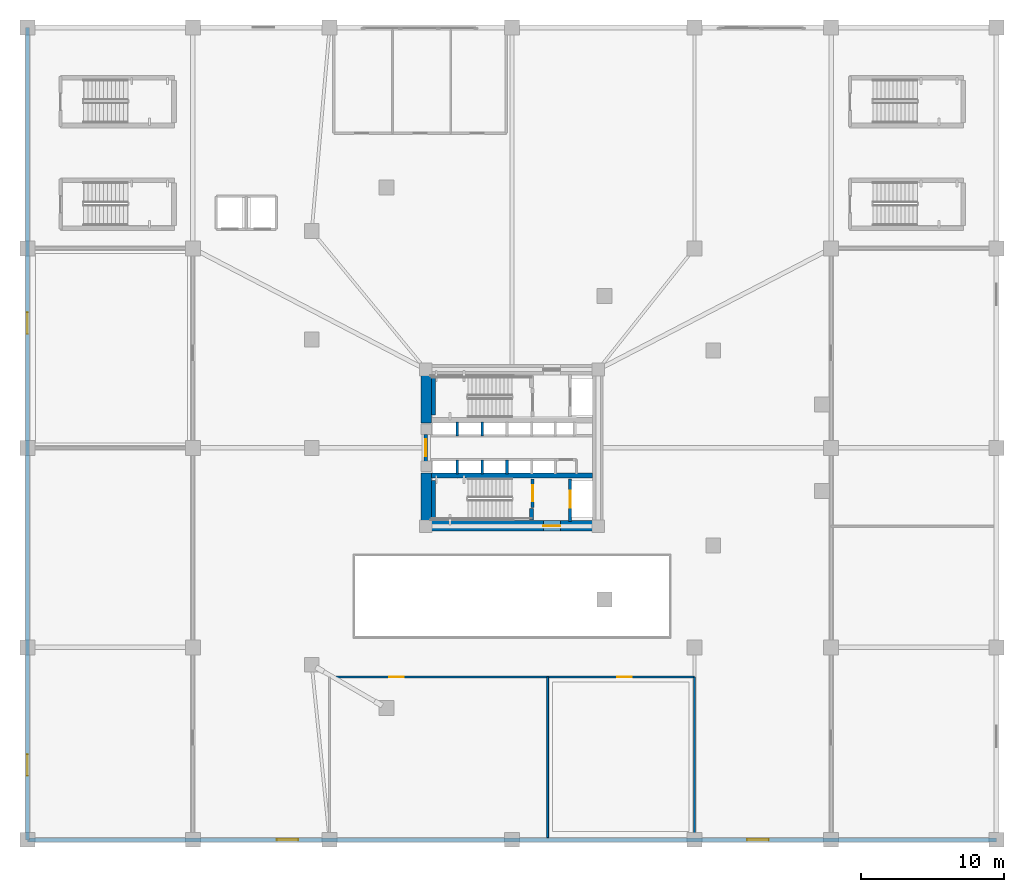
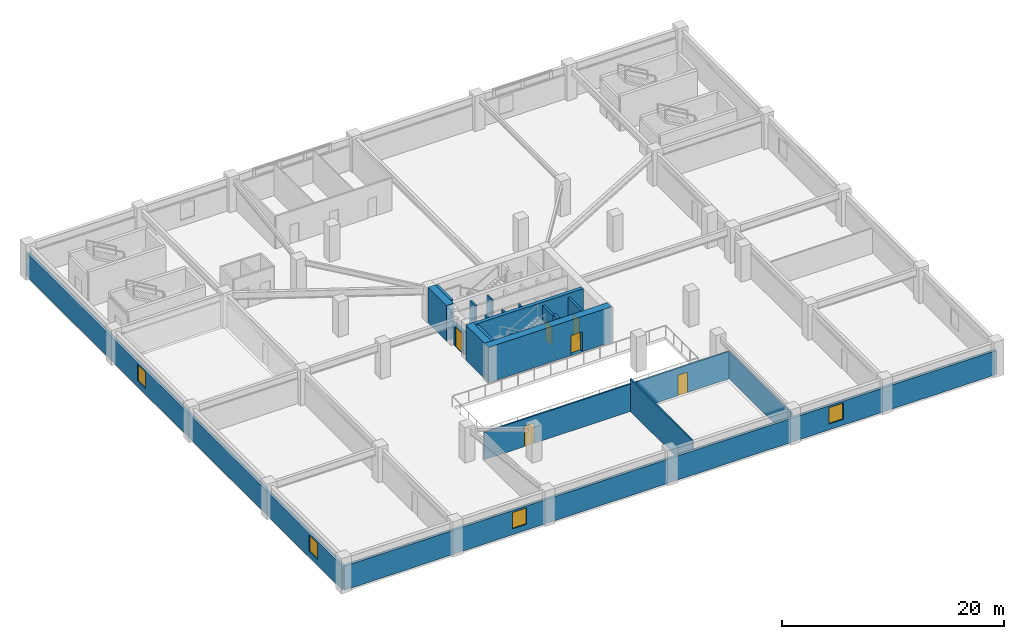
# One storey, part 4 of 15: 20 walls, 6 doors, 4 windows, 10 openings.
"""IFC4 building model written with IfcOpenShell, lengths in metres."""

from ifc_helpers import new_model, si_unit, direction, frame, frame_2d, origin, place, context, subcontext, project, spatial, rectangle, extrude, material, layer, layer_set, type_object, element, fill, save


model = new_model("IFC4")

# Units and contexts
model_context = context("Model", 3, precision=1e-05, world=origin(), true_north=direction((0.0, 1.0)))
body_context = subcontext(model_context, "Body", "Model", "MODEL_VIEW")
ifc_project = project(units=[si_unit("LENGTHUNIT", "METRE"), si_unit("AREAUNIT", "SQUARE_METRE"), si_unit("VOLUMEUNIT", "CUBIC_METRE"), si_unit("PLANEANGLEUNIT", "RADIAN"), si_unit("MASSUNIT", "GRAM", prefix="KILO")], contexts=[model_context])

# Site, building, storey
site_placement = place(None, origin())
site = spatial("IfcSite", under=ifc_project, at=site_placement, CompositionType="ELEMENT")
building_placement = place(site_placement, origin())
building = spatial("IfcBuilding", under=site, at=building_placement, Name="Yunling Apex Tower", CompositionType="ELEMENT")
storey_placement = place(building_placement, frame((0.0, 0.0, 8.39990234375)))
storey = spatial("IfcBuildingStorey", under=building, at=storey_placement, Name="L03", CompositionType="ELEMENT", Elevation=8.39990234375)

# Wall, opening, door
ifc_material_1 = material(Name="Concrete C60", Category="concrete")
ifc_layer_1 = layer(ifc_material_1, 0.75)
ifc_layer_set_1 = layer_set([ifc_layer_1], Name="Concrete C60")
wall_type_1 = type_object("IfcWallType", Name="WL-COR-1", PredefinedType="SHEAR", material=ifc_layer_set_1)
wall_1_placement = place(storey_placement, frame((-6.39990234375, -5.47509765625, 0.0), z_axis=(0.0, 0.0, 1.0), x_axis=(1.0, 0.0, 0.0)))
wall_1 = element("IfcWall", 1, at=wall_1_placement, inside=storey, type_object=wall_type_1, Name="L03 South Core Shear Wall", PredefinedType="SHEAR", context=body_context, shape_type="SweptSolid", body=[
    extrude(rectangle(XDim=12.7998046875, YDim=0.75, at=frame_2d((6.39990234375, 0.0))), origin(), (0.0, 0.0, 1.0), 3.900146484375),
])
opening_1_placement = place(wall_1_placement, frame((8.60009765625, 0.0, 0.0)))
opening_1 = element("IfcOpeningElement", 2, at=opening_1_placement, cuts=wall_1, Name="Opening DR-FFL-1", PredefinedType="OPENING", context=body_context, shape_type="SweptSolid", body=[
    extrude(rectangle(XDim=1.199951171875, YDim=2.199951171875, at=frame_2d((0.60009765625, 1.10009765625))), frame((0.0, 0.385009765625, 0.0), z_axis=(0.0, -1.0, 0.0), x_axis=(1.0, 0.0, 0.0)), (0.0, 0.0, 1.0), 0.77001953125),
])
ifc_material_2 = material(Name="Steel Q355B", Category="steel")
door_type_1 = type_object("IfcDoorType", Name="DR-FFL-1", OperationType="NOTDEFINED", PredefinedType="DOOR", material=ifc_material_2)
door_1_placement = place(opening_1_placement, origin())
door_1 = element("IfcDoor", 3, at=door_1_placement, inside=storey, type_object=door_type_1, Name="L03 South Firefighting Lobby Door", OperationType="SINGLE_SWING_RIGHT", OverallHeight=2.199951171875, OverallWidth=1.199951171875, PredefinedType="DOOR", context=body_context, shape_type="SweptSolid", body=[
    extrude(rectangle(XDim=1.199951171875, YDim=2.199951171875, at=frame_2d((0.60009765625, 1.10009765625))), frame((0.0, 0.02490234375, 0.0), z_axis=(0.0, -1.0, 0.0), x_axis=(1.0, 0.0, 0.0)), (0.0, 0.0, 1.0), 0.050048828125),
])
fill(opening_1, door_1)

# Walls
for number, where, z_axis, x_axis, name in (
    (4, (-6.02490234375, -5.10009765625, 0.0), (0.0, 0.0, 1.0), (0.0, 1.0, 0.0), "L03 West-South Core Shear Wall"),
    (5, (-6.02490234375, 1.75, 0.0), (0.0, 0.0, 1.0), (0.0, 1.0, 0.0), "L03 West-North Core Shear Wall"),
):
    element("IfcWall", number, at=place(storey_placement, frame(where, z_axis=z_axis, x_axis=x_axis)), inside=storey, type_object=wall_type_1, Name=name, PredefinedType="SHEAR", context=body_context, shape_type="SweptSolid", body=[
        extrude(rectangle(XDim=3.35009765625, YDim=0.75, at=frame_2d((1.675048828125, 0.0))), origin(), (0.0, 0.0, 1.0), 3.900146484375),
    ])
ifc_material_3 = material(Name="Concrete C40", Category="concrete")
ifc_layer_2 = layer(ifc_material_3, 0.360107421875)
ifc_layer_set_2 = layer_set([ifc_layer_2], Name="Concrete C40")
wall_type_2 = type_object("IfcWallType", Name="WL-COR-4", PredefinedType="SHEAR", material=ifc_layer_set_2)
wall_2_placement = place(storey_placement, frame((-5.64990234375, -1.93994140625, 0.0), z_axis=(0.0, 0.0, 1.0), x_axis=(1.0, 0.0, 0.0)))
element("IfcWall", 6, at=wall_2_placement, inside=storey, type_object=wall_type_2, Name="L03 South Internal Core Shear Wall", PredefinedType="SHEAR", context=body_context, shape_type="SweptSolid", body=[
    extrude(rectangle(XDim=11.2998046875, YDim=0.360107421875, at=frame_2d((5.64990234375, 0.0))), origin(), (0.0, 0.0, 1.0), 3.900146484375),
])
ifc_layer_3 = layer(ifc_material_3, 0.280029296875)
ifc_layer_set_3 = layer_set([ifc_layer_3], Name="Concrete C40")
wall_type_3 = type_object("IfcWallType", Name="WL-COR-8", PredefinedType="SHEAR", material=ifc_layer_set_3)
for number, where, z_axis, x_axis, name in (
    (7, (-5.52001953125, 2.300048828125, 0.0), (0.0, 0.0, 1.0), (0.0, 1.0, 0.0), "L03 ST-1 West Landing Bearing Wall"),
    (8, (-5.52001953125, -5.050048828125, 0.0), (0.0, 0.0, 1.0), (0.0, 1.0, 0.0), "L03 ST-2 West Landing Bearing Wall"),
):
    element("IfcWall", number, at=place(storey_placement, frame(where, z_axis=z_axis, x_axis=x_axis)), inside=storey, type_object=wall_type_3, Name=name, PredefinedType="SHEAR", context=body_context, shape_type="SweptSolid", body=[
        extrude(rectangle(XDim=2.75, YDim=0.280029296875, at=frame_2d((1.375, 0.0))), origin(), (0.0, 0.0, 1.0), 3.900146484375),
    ])
wall_3_placement = place(storey_placement, frame((1.3798828125, -5.050048828125, 0.0), z_axis=(0.0, 0.0, 1.0), x_axis=(0.0, 1.0, 0.0)))
element("IfcWall", 9, at=wall_3_placement, inside=storey, type_object=wall_type_3, Name="L03 ST-2 East Landing Bearing Pier", PredefinedType="SHEAR", context=body_context, shape_type="SweptSolid", body=[
    extrude(rectangle(XDim=0.800048828125, YDim=0.280029296875, at=frame_2d((0.39990234375, 0.0))), origin(), (0.0, 0.0, 1.0), 3.900146484375),
])

# Wall, openings, windows
ifc_material_4 = material(Name="Precast concrete C40", Category="concrete")
ifc_layer_4 = layer(ifc_material_4, 0.280029296875)
ifc_layer_set_4 = layer_set([ifc_layer_4], Name="Precast concrete C40")
wall_type_4 = type_object("IfcWallType", Name="WL-EXT-2", PredefinedType="SOLIDWALL", material=ifc_layer_set_4)
wall_4_placement = place(storey_placement, frame((34.0, -27.5, 0.0), z_axis=(0.0, 0.0, 1.0), x_axis=(-1.0, 0.0, 0.0)))
wall_4 = element("IfcWall", 10, at=wall_4_placement, inside=storey, type_object=wall_type_4, Name="WL-POD-L03-S", PredefinedType="SOLIDWALL", context=body_context, shape_type="SweptSolid", body=[
    extrude(rectangle(XDim=68.0, YDim=0.280029296875, at=frame_2d((34.0, 0.0))), origin(), (0.0, 0.0, 1.0), 2.650146484375),
])
opening_2_placement = place(wall_4_placement, frame((16.0, 0.0, 0.64990234375)))
opening_2 = element("IfcOpeningElement", 11, at=opening_2_placement, cuts=wall_4, Name="Opening WN-POD-3", PredefinedType="OPENING", context=body_context, shape_type="SweptSolid", body=[
    extrude(rectangle(XDim=1.5, YDim=1.800048828125, at=frame_2d((0.75, 0.89990234375))), frame((0.0, 0.14990234375, 0.0), z_axis=(0.0, -1.0, 0.0), x_axis=(1.0, 0.0, 0.0)), (0.0, 0.0, 1.0), 0.300048828125),
])
opening_3_placement = place(wall_4_placement, frame((49.0, 0.0, 0.64990234375)))
opening_3 = element("IfcOpeningElement", 12, at=opening_3_placement, cuts=wall_4, Name="Opening WN-POD-3", PredefinedType="OPENING", context=body_context, shape_type="SweptSolid", body=[
    extrude(rectangle(XDim=1.5, YDim=1.800048828125, at=frame_2d((0.75, 0.89990234375))), frame((0.0, 0.14990234375, 0.0), z_axis=(0.0, -1.0, 0.0), x_axis=(1.0, 0.0, 0.0)), (0.0, 0.0, 1.0), 0.300048828125),
])
ifc_material_5 = material(Name="Bronze tinted low-E glass", Category="glass")
window_type = type_object("IfcWindowType", Name="WN-POD-3", PartitioningType="SINGLE_PANEL", PredefinedType="WINDOW", material=ifc_material_5)
window_1_placement = place(opening_2_placement, origin())
window_1 = element("IfcWindow", 13, at=window_1_placement, inside=storey, type_object=window_type, Name="WN-L03-S-1", OverallHeight=1.800048828125, OverallWidth=1.5, PartitioningType="SINGLE_PANEL", PredefinedType="WINDOW", context=body_context, shape_type="SweptSolid", body=[
    extrude(rectangle(XDim=1.5, YDim=1.800048828125, at=frame_2d((0.75, 0.89990234375))), frame((0.0, 0.030029296875, 0.0), z_axis=(0.0, -1.0, 0.0), x_axis=(1.0, 0.0, 0.0)), (0.0, 0.0, 1.0), 0.06005859375),
])
fill(opening_2, window_1)
window_2_placement = place(opening_3_placement, origin())
window_2 = element("IfcWindow", 14, at=window_2_placement, inside=storey, type_object=window_type, Name="WN-L03-S-2", OverallHeight=1.800048828125, OverallWidth=1.5, PartitioningType="SINGLE_PANEL", PredefinedType="WINDOW", context=body_context, shape_type="SweptSolid", body=[
    extrude(rectangle(XDim=1.5, YDim=1.800048828125, at=frame_2d((0.75, 0.89990234375))), frame((0.0, 0.030029296875, 0.0), z_axis=(0.0, -1.0, 0.0), x_axis=(1.0, 0.0, 0.0)), (0.0, 0.0, 1.0), 0.06005859375),
])
fill(opening_3, window_2)

wall_5_placement = place(storey_placement, frame((-34.0, -27.5, 0.0), z_axis=(0.0, 0.0, 1.0), x_axis=(0.0, 1.0, 0.0)))
wall_5 = element("IfcWall", 15, at=wall_5_placement, inside=storey, type_object=wall_type_4, Name="WL-POD-L03-W", PredefinedType="SOLIDWALL", context=body_context, shape_type="SweptSolid", body=[
    extrude(rectangle(XDim=57.0, YDim=0.280029296875, at=frame_2d((28.5, 0.0))), origin(), (0.0, 0.0, 1.0), 2.650146484375),
])
opening_4_placement = place(wall_5_placement, frame((4.5, 0.0, 0.64990234375)))
opening_4 = element("IfcOpeningElement", 16, at=opening_4_placement, cuts=wall_5, Name="Opening WN-POD-3", PredefinedType="OPENING", context=body_context, shape_type="SweptSolid", body=[
    extrude(rectangle(XDim=1.5, YDim=1.800048828125, at=frame_2d((0.75, 0.89990234375))), frame((0.0, 0.14990234375, 0.0), z_axis=(0.0, -1.0, 0.0), x_axis=(1.0, 0.0, 0.0)), (0.0, 0.0, 1.0), 0.300048828125),
])
opening_5_placement = place(wall_5_placement, frame((35.5, 0.0, 0.64990234375)))
opening_5 = element("IfcOpeningElement", 17, at=opening_5_placement, cuts=wall_5, Name="Opening WN-POD-3", PredefinedType="OPENING", context=body_context, shape_type="SweptSolid", body=[
    extrude(rectangle(XDim=1.5, YDim=1.800048828125, at=frame_2d((0.75, 0.89990234375))), frame((0.0, 0.14990234375, 0.0), z_axis=(0.0, -1.0, 0.0), x_axis=(1.0, 0.0, 0.0)), (0.0, 0.0, 1.0), 0.300048828125),
])
window_3_placement = place(opening_4_placement, origin())
window_3 = element("IfcWindow", 18, at=window_3_placement, inside=storey, type_object=window_type, Name="WN-L03-W-1", OverallHeight=1.800048828125, OverallWidth=1.5, PartitioningType="SINGLE_PANEL", PredefinedType="WINDOW", context=body_context, shape_type="SweptSolid", body=[
    extrude(rectangle(XDim=1.5, YDim=1.800048828125, at=frame_2d((0.75, 0.89990234375))), frame((0.0, 0.030029296875, 0.0), z_axis=(0.0, -1.0, 0.0), x_axis=(1.0, 0.0, 0.0)), (0.0, 0.0, 1.0), 0.06005859375),
])
fill(opening_4, window_3)
window_4_placement = place(opening_5_placement, origin())
window_4 = element("IfcWindow", 19, at=window_4_placement, inside=storey, type_object=window_type, Name="WN-L03-W-2", OverallHeight=1.800048828125, OverallWidth=1.5, PartitioningType="SINGLE_PANEL", PredefinedType="WINDOW", context=body_context, shape_type="SweptSolid", body=[
    extrude(rectangle(XDim=1.5, YDim=1.800048828125, at=frame_2d((0.75, 0.89990234375))), frame((0.0, 0.030029296875, 0.0), z_axis=(0.0, -1.0, 0.0), x_axis=(1.0, 0.0, 0.0)), (0.0, 0.0, 1.0), 0.06005859375),
])
fill(opening_5, window_4)

# Wall, openings, doors
ifc_material_6 = material(Name="Gypsum board acoustic partition")
ifc_layer_5 = layer(ifc_material_6, 0.159912109375)
ifc_layer_set_5 = layer_set([ifc_layer_5], Name="Gypsum board acoustic partition")
wall_type_5 = type_object("IfcWallType", Name="WL-PRT-1", PredefinedType="PARTITIONING", material=ifc_layer_set_5)
wall_6_placement = place(storey_placement, frame((-12.800048828125, -16.080078125, 0.0), z_axis=(0.0, 0.0, 1.0), x_axis=(1.0, 0.0, 0.0)))
wall_6 = element("IfcWall", 20, at=wall_6_placement, inside=storey, type_object=wall_type_5, Name="WL-L03-SN", PredefinedType="PARTITIONING", context=body_context, shape_type="SweptSolid", body=[
    extrude(rectangle(XDim=25.60009765625, YDim=0.159912109375, at=frame_2d((12.800048828125, 0.0))), origin(), (0.0, 0.0, 1.0), 3.025146484375),
])
opening_6_placement = place(wall_6_placement, frame((4.199951171875, 0.0, 0.0)))
opening_6 = element("IfcOpeningElement", 21, at=opening_6_placement, cuts=wall_6, Name="Opening DR-OFF-1", PredefinedType="OPENING", context=body_context, shape_type="SweptSolid", body=[
    extrude(rectangle(XDim=1.0, YDim=2.25, at=frame_2d((0.5, 1.125))), frame((0.0, 0.08984375, 0.0), z_axis=(0.0, -1.0, 0.0), x_axis=(1.0, 0.0, 0.0)), (0.0, 0.0, 1.0), 0.179931640625),
])
opening_7_placement = place(wall_6_placement, frame((20.199951171875, 0.0, 0.0)))
opening_7 = element("IfcOpeningElement", 22, at=opening_7_placement, cuts=wall_6, Name="Opening DR-OFF-1", PredefinedType="OPENING", context=body_context, shape_type="SweptSolid", body=[
    extrude(rectangle(XDim=1.0, YDim=2.25, at=frame_2d((0.5, 1.125))), frame((0.0, 0.08984375, 0.0), z_axis=(0.0, -1.0, 0.0), x_axis=(1.0, 0.0, 0.0)), (0.0, 0.0, 1.0), 0.179931640625),
])
ifc_material_7 = material(Name="Bronze anodised aluminium", Category="aluminium")
door_type_2 = type_object("IfcDoorType", Name="DR-OFF-1", OperationType="NOTDEFINED", PredefinedType="DOOR", material=ifc_material_7)
door_2_placement = place(opening_6_placement, origin())
door_2 = element("IfcDoor", 23, at=door_2_placement, inside=storey, type_object=door_type_2, Name="L03 Briefing Room Door", OperationType="SINGLE_SWING_RIGHT", OverallHeight=2.25, OverallWidth=1.0, PredefinedType="DOOR", context=body_context, shape_type="SweptSolid", body=[
    extrude(rectangle(XDim=1.0, YDim=2.25, at=frame_2d((0.5, 1.125))), frame((0.0, 0.02490234375, 0.0), z_axis=(0.0, -1.0, 0.0), x_axis=(1.0, 0.0, 0.0)), (0.0, 0.0, 1.0), 0.050048828125),
])
fill(opening_6, door_2)
door_3_placement = place(opening_7_placement, origin())
door_3 = element("IfcDoor", 24, at=door_3_placement, inside=storey, type_object=door_type_2, Name="L03 Atrium Salon Door", OperationType="SINGLE_SWING_LEFT", OverallHeight=2.25, OverallWidth=1.0, PredefinedType="DOOR", context=body_context, shape_type="SweptSolid", body=[
    extrude(rectangle(XDim=1.0, YDim=2.25, at=frame_2d((0.5, 1.125))), frame((0.0, 0.02490234375, 0.0), z_axis=(0.0, -1.0, 0.0), x_axis=(1.0, 0.0, 0.0)), (0.0, 0.0, 1.0), 0.050048828125),
])
fill(opening_7, door_3)

# Walls
wall_7_placement = place(storey_placement, frame((12.800048828125, -27.35009765625, 0.0), z_axis=(0.0, 0.0, 1.0), x_axis=(0.0, 1.0, 0.0)))
element("IfcWall", 25, at=wall_7_placement, inside=storey, type_object=wall_type_5, Name="WL-L03-SE", PredefinedType="PARTITIONING", context=body_context, shape_type="SweptSolid", body=[
    extrude(rectangle(XDim=11.27001953125, YDim=0.159912109375, at=frame_2d((5.635009765625, 0.0))), origin(), (0.0, 0.0, 1.0), 3.025146484375),
])
ifc_layer_6 = layer(ifc_material_6, 0.139892578125)
ifc_layer_set_6 = layer_set([ifc_layer_6], Name="Gypsum board acoustic partition")
wall_type_6 = type_object("IfcWallType", Name="WL-PRT-2", PredefinedType="PARTITIONING", material=ifc_layer_set_6)
wall_8_placement = place(storey_placement, frame((2.5, -27.35009765625, 0.0), z_axis=(0.0, 0.0, 1.0), x_axis=(0.0, 1.0, 0.0)))
element("IfcWall", 26, at=wall_8_placement, inside=storey, type_object=wall_type_6, Name="WL-L03-SM", PredefinedType="PARTITIONING", context=body_context, shape_type="SweptSolid", body=[
    extrude(rectangle(XDim=11.27001953125, YDim=0.139892578125, at=frame_2d((5.635009765625, 0.0))), origin(), (0.0, 0.0, 1.0), 3.570068359375),
])

# Wall, opening, door
ifc_material_8 = material(Name="Autoclaved aerated concrete masonry", Category="masonry")
ifc_layer_7 = layer(ifc_material_8, 0.219970703125)
ifc_layer_set_7 = layer_set([ifc_layer_7], Name="Autoclaved aerated concrete masonry")
wall_type_7 = type_object("IfcWallType", Name="WL-SHF-1", PredefinedType="PLUMBINGWALL", material=ifc_layer_set_7)
wall_9_placement = place(storey_placement, frame((-6.050048828125, -0.949951171875, 0.0), z_axis=(0.0, 0.0, 1.0), x_axis=(0.0, 1.0, 0.0)))
wall_9 = element("IfcWall", 27, at=wall_9_placement, inside=storey, type_object=wall_type_7, Name="WL-COR-WPORT-L03", PredefinedType="PLUMBINGWALL", context=body_context, shape_type="SweptSolid", body=[
    extrude(rectangle(XDim=1.89990234375, YDim=0.219970703125, at=frame_2d((0.949951171875, 0.0))), origin(), (0.0, 0.0, 1.0), 2.550048828125),
])
opening_8_placement = place(wall_9_placement, frame((0.35009765625, 0.0, 0.0)))
opening_8 = element("IfcOpeningElement", 28, at=opening_8_placement, cuts=wall_9, Name="Opening DR-FFL-1", PredefinedType="OPENING", context=body_context, shape_type="SweptSolid", body=[
    extrude(rectangle(XDim=1.199951171875, YDim=2.199951171875, at=frame_2d((0.60009765625, 1.10009765625))), frame((0.0, 0.1201171875, 0.0), z_axis=(0.0, -1.0, 0.0), x_axis=(1.0, 0.0, 0.0)), (0.0, 0.0, 1.0), 0.239990234375),
])
door_4_placement = place(opening_8_placement, origin())
door_4 = element("IfcDoor", 29, at=door_4_placement, inside=storey, type_object=door_type_1, Name="L03 Passenger Lift Lobby Entrance Door", OperationType="SINGLE_SWING_LEFT", OverallHeight=2.199951171875, OverallWidth=1.199951171875, PredefinedType="DOOR", context=body_context, shape_type="SweptSolid", body=[
    extrude(rectangle(XDim=1.199951171875, YDim=2.199951171875, at=frame_2d((0.60009765625, 1.10009765625))), frame((0.0, 0.02490234375, 0.0), z_axis=(0.0, -1.0, 0.0), x_axis=(1.0, 0.0, 0.0)), (0.0, 0.0, 1.0), 0.050048828125),
])
fill(opening_8, door_4)

wall_10_placement = place(storey_placement, frame((1.449951171875, -4.179931640625, 0.0), z_axis=(0.0, 0.0, 1.0), x_axis=(0.0, 1.0, 0.0)))
wall_10 = element("IfcWall", 30, at=wall_10_placement, inside=storey, type_object=wall_type_7, Name="WL-ST2-E-L03", PredefinedType="PLUMBINGWALL", context=body_context, shape_type="SweptSolid", body=[
    extrude(rectangle(XDim=1.97998046875, YDim=0.219970703125, at=frame_2d((0.989990234375, 0.0))), origin(), (0.0, 0.0, 1.0), 3.570068359375),
])
opening_9_placement = place(wall_10_placement, frame((0.419921875, 0.0, 0.0)))
opening_9 = element("IfcOpeningElement", 31, at=opening_9_placement, cuts=wall_10, Name="Opening DR-ST-1", PredefinedType="OPENING", context=body_context, shape_type="SweptSolid", body=[
    extrude(rectangle(XDim=1.14990234375, YDim=2.14990234375, at=frame_2d((0.574951171875, 1.074951171875))), frame((0.0, 0.1201171875, 0.0), z_axis=(0.0, -1.0, 0.0), x_axis=(1.0, 0.0, 0.0)), (0.0, 0.0, 1.0), 0.239990234375),
])
door_type_3 = type_object("IfcDoorType", Name="DR-ST-1", OperationType="NOTDEFINED", PredefinedType="DOOR", material=ifc_material_2)
door_5_placement = place(opening_9_placement, origin())
door_5 = element("IfcDoor", 32, at=door_5_placement, inside=storey, type_object=door_type_3, Name="L03 Stair ST-2 Fire Door", OperationType="SINGLE_SWING_LEFT", OverallHeight=2.14990234375, OverallWidth=1.14990234375, PredefinedType="DOOR", context=body_context, shape_type="SweptSolid", body=[
    extrude(rectangle(XDim=1.14990234375, YDim=2.14990234375, at=frame_2d((0.574951171875, 1.074951171875))), frame((0.0, 0.02490234375, 0.0), z_axis=(0.0, -1.0, 0.0), x_axis=(1.0, 0.0, 0.0)), (0.0, 0.0, 1.0), 0.050048828125),
])
fill(opening_9, door_5)

wall_11_placement = place(storey_placement, frame((4.080078125, -5.14990234375, 0.0), z_axis=(0.0, 0.0, 1.0), x_axis=(0.0, 1.0, 0.0)))
wall_11 = element("IfcWall", 33, at=wall_11_placement, inside=storey, type_object=wall_type_7, Name="WL-FFL2-W-L03", PredefinedType="PLUMBINGWALL", context=body_context, shape_type="SweptSolid", body=[
    extrude(rectangle(XDim=2.949951171875, YDim=0.219970703125, at=frame_2d((1.47509765625, 0.0))), origin(), (0.0, 0.0, 1.0), 3.570068359375),
])
opening_10_placement = place(wall_11_placement, frame((0.949951171875, 0.0, 0.0)))
opening_10 = element("IfcOpeningElement", 34, at=opening_10_placement, cuts=wall_11, Name="Opening LD-FFL-1", PredefinedType="OPENING", context=body_context, shape_type="SweptSolid", body=[
    extrude(rectangle(XDim=1.199951171875, YDim=2.25, at=frame_2d((0.60009765625, 1.125))), frame((0.0, 0.1201171875, 0.0), z_axis=(0.0, -1.0, 0.0), x_axis=(1.0, 0.0, 0.0)), (0.0, 0.0, 1.0), 0.239990234375),
])
door_type_4 = type_object("IfcDoorType", Name="LD-FFL-1", OperationType="DOUBLE_DOOR_SLIDING", PredefinedType="DOOR", material=ifc_material_2)
door_6_placement = place(opening_10_placement, origin())
door_6 = element("IfcDoor", 35, at=door_6_placement, inside=storey, type_object=door_type_4, Name="L03 Lift FFL-2 Landing Door", OperationType="DOUBLE_DOOR_SLIDING", OverallHeight=2.25, OverallWidth=1.199951171875, PredefinedType="DOOR", context=body_context, shape_type="SweptSolid", body=[
    extrude(rectangle(XDim=1.199951171875, YDim=2.25, at=frame_2d((0.60009765625, 1.125))), frame((0.0, 0.02490234375, 0.0), z_axis=(0.0, -1.0, 0.0), x_axis=(1.0, 0.0, 0.0)), (0.0, 0.0, 1.0), 0.050048828125),
])
fill(opening_10, door_6)

# Walls
ifc_layer_8 = layer(ifc_material_8, 0.179931640625)
ifc_layer_set_8 = layer_set([ifc_layer_8], Name="Autoclaved aerated concrete masonry")
wall_type_8 = type_object("IfcWallType", Name="WL-SHF-2", PredefinedType="PLUMBINGWALL", material=ifc_layer_set_8)
for number, where, z_axis, x_axis, name in (
    (36, (-3.85009765625, 0.840087890625, 0.0), (0.0, 0.0, 1.0), (0.0, 1.0, 0.0), "WL-DIV-L12-L03"),
    (37, (-3.85009765625, -1.820068359375, 0.0), (0.0, 0.0, 1.0), (0.0, 1.0, 0.0), "WL-DIV-L34-L03"),
    (38, (-2.10009765625, 0.840087890625, 0.0), (0.0, 0.0, 1.0), (0.0, 1.0, 0.0), "WL-BNK-LM-N-L03"),
    (39, (-2.10009765625, -1.820068359375, 0.0), (0.0, 0.0, 1.0), (0.0, 1.0, 0.0), "WL-BNK-LM-S-L03"),
    (40, (-0.35009765625, -1.820068359375, 0.0), (0.0, 0.0, 1.0), (0.0, 1.0, 0.0), "WL-DIV-M34-L03"),
):
    element("IfcWall", number, at=place(storey_placement, frame(where, z_axis=z_axis, x_axis=x_axis)), inside=storey, type_object=wall_type_8, Name=name, PredefinedType="PLUMBINGWALL", context=body_context, shape_type="SweptSolid", body=[
        extrude(rectangle(XDim=0.97998046875, YDim=0.179931640625, at=frame_2d((0.489990234375, 0.0))), origin(), (0.0, 0.0, 1.0), 3.570068359375),
    ])

save(model, "model.ifc")
